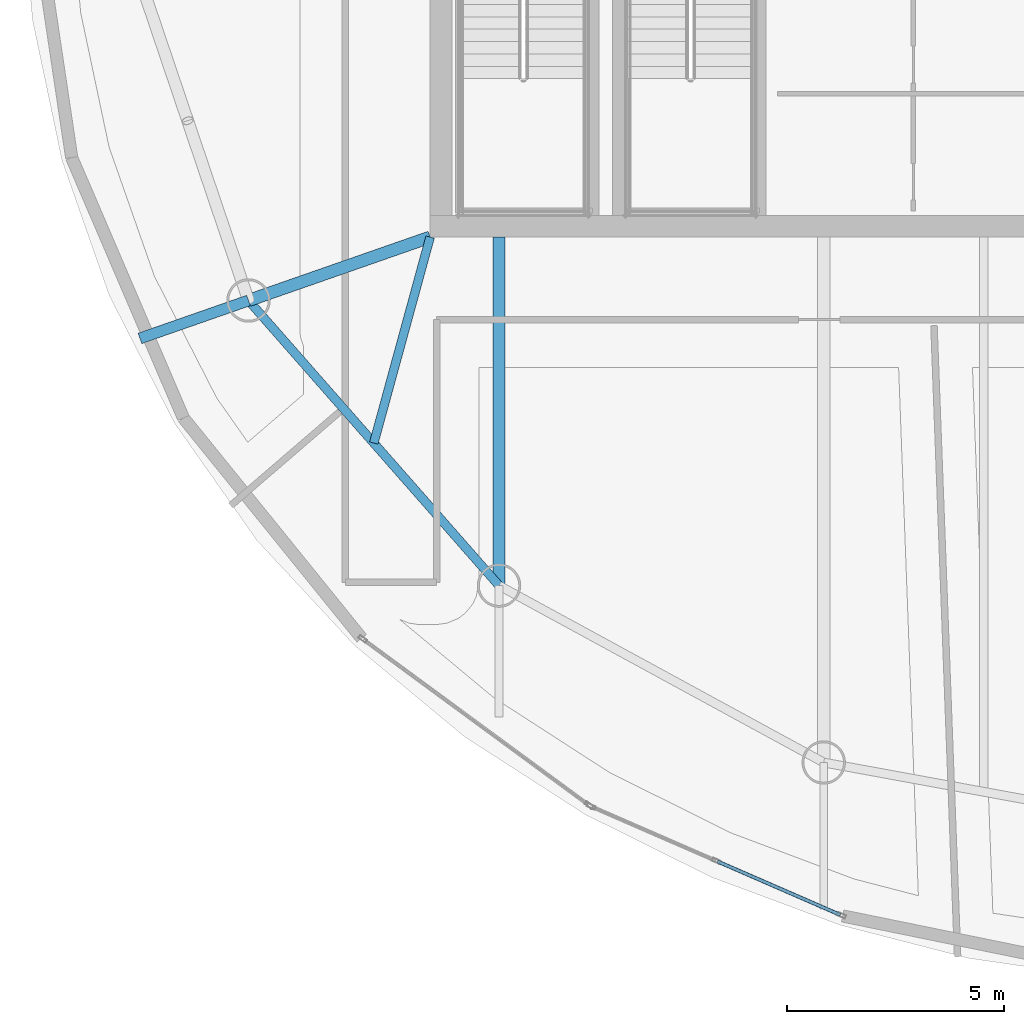
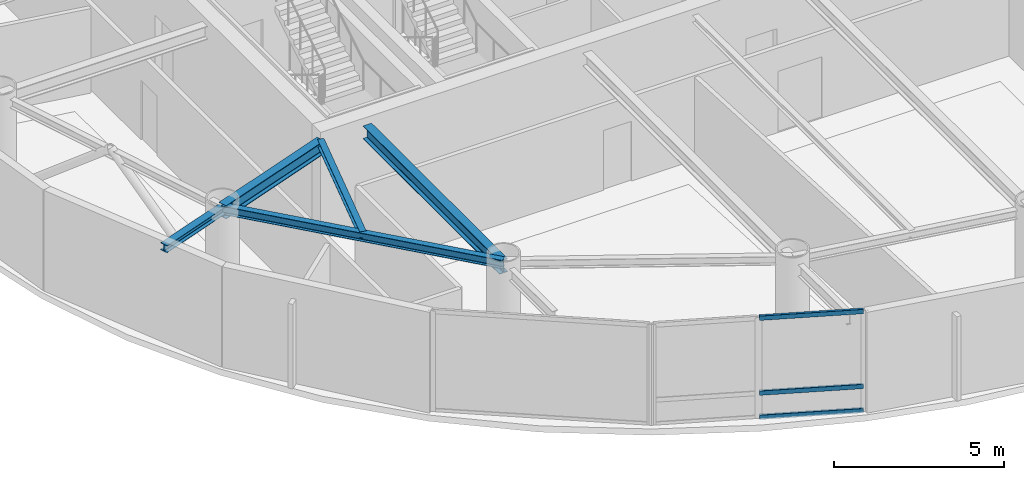
# One storey, part 3 of 20: 5 beams, 3 members, 1 element without a shape of its own.
"""IFC4 building model written with IfcOpenShell, lengths in metres."""

from ifc_helpers import new_model, si_unit, direction, frame, origin, origin_2d, place, context, subcontext, project, spatial, hollow_rectangle, i_section, extrude, material, layer, layer_set, material_profile, profile_set, type_object, element, aggregate, save


model = new_model("IFC4")

# Units and contexts
model_context = context("Model", 3, precision=1e-05, world=origin(), true_north=direction((0.0, 1.0)))
body_context = subcontext(model_context, "Body", "Model", "MODEL_VIEW")
ifc_project = project(units=[si_unit("LENGTHUNIT", "METRE"), si_unit("AREAUNIT", "SQUARE_METRE"), si_unit("VOLUMEUNIT", "CUBIC_METRE"), si_unit("PLANEANGLEUNIT", "RADIAN"), si_unit("MASSUNIT", "GRAM", prefix="KILO")], contexts=[model_context])

# Site, building, storey
site_placement = place(None, origin())
site = spatial("IfcSite", under=ifc_project, at=site_placement, CompositionType="ELEMENT")
building_placement = place(site_placement, origin())
building = spatial("IfcBuilding", under=site, at=building_placement, Name="Bramvorn Convention Spire", CompositionType="ELEMENT")
storey_placement = place(building_placement, frame((0.0, 0.0, 269.0)))
storey = spatial("IfcBuildingStorey", under=building, at=storey_placement, Name="L68", CompositionType="ELEMENT", Elevation=269.0)

# Beams
ifc_material_1 = material(Name="Steel CSA G40.21 Grade 350 (350W)", Category="steel")
ifc_material_profile_1 = material_profile(ifc_material_1, i_section(OverallWidth=0.201904296875, OverallDepth=0.2470703125, WebThickness=0.00732421875, FlangeThickness=0.010986328125, FilletRadius=0.011962890625, at=origin_2d()))
ifc_profile_set_1 = profile_set([ifc_material_profile_1], Name="Steel CSA G40.21 Grade 350 (350W) - W250X49")
beam_type_1 = type_object("IfcBeamType", Name="BM-W250X49", PredefinedType="JOIST", material=ifc_profile_set_1)
beam_1_placement = place(storey_placement, frame((26.75, 18.550048828125, 3.50146484375), z_axis=(-0.26386506219, -0.96455960363, 0.0), x_axis=(0.96455960363, -0.26386506219, 0.0)))
element("IfcBeam", 1, at=beam_1_placement, inside=storey, type_object=beam_type_1, Name="L68 composite floor joist 13", PredefinedType="JOIST", context=body_context, shape_type="SweptSolid", body=[
    extrude(i_section(OverallWidth=0.201904296875, OverallDepth=0.2470703125, WebThickness=0.00732421875, FlangeThickness=0.010986328125, FilletRadius=0.011962890625, at=origin_2d()), origin(), (0.0, 0.0, 1.0), 4.917724609375),
])
ifc_material_profile_2 = material_profile(ifc_material_1, i_section(OverallWidth=0.25390625, OverallDepth=0.2529296875, WebThickness=0.008544921875, FlangeThickness=0.01416015625, FilletRadius=0.011962890625, at=origin_2d()))
ifc_profile_set_2 = profile_set([ifc_material_profile_2], Name="Steel CSA G40.21 Grade 350 (350W) - W250X73")
beam_type_2 = type_object("IfcBeamType", Name="BM-W250X73", PredefinedType="BEAM", material=ifc_profile_set_2)
beam_2_placement = place(storey_placement, frame((22.5673828125, 17.090087890625, 3.45849609375), z_axis=(-0.944128169643, -0.329578517634, 0.0), x_axis=(0.329578517634, -0.944128169643, 0.0)))
element("IfcBeam", 2, at=beam_2_placement, inside=storey, type_object=beam_type_2, Name="L68 slab-edge cantilever tip beam MC13", PredefinedType="BEAM", context=body_context, shape_type="SweptSolid", body=[
    extrude(i_section(OverallWidth=0.25390625, OverallDepth=0.2529296875, WebThickness=0.008544921875, FlangeThickness=0.01416015625, FilletRadius=0.011962890625, at=origin_2d()), origin(), (0.0, 0.0, 1.0), 2.64892578125),
])
ifc_material_profile_3 = material_profile(ifc_material_1, i_section(OverallWidth=0.202880859375, OverallDepth=0.302978515625, WebThickness=0.007568359375, FlangeThickness=0.01318359375, FilletRadius=0.013916015625, at=origin_2d()))
ifc_profile_set_3 = profile_set([ifc_material_profile_3], Name="Steel CSA G40.21 Grade 350 (350W) - W310X60")
beam_type_3 = type_object("IfcBeamType", Name="BM-W310X60", PredefinedType="JOIST", material=ifc_profile_set_3)
beam_3_placement = place(storey_placement, frame((22.5673828125, 17.090087890625, 3.473388671875), z_axis=(0.660073062339, -0.751201405999, 0.0), x_axis=(0.751201405999, 0.660073062339, 0.0)))
element("IfcBeam", 3, at=beam_3_placement, inside=storey, type_object=beam_type_3, Name="L68 mega-column ring beam 13", PredefinedType="JOIST", context=body_context, shape_type="SweptSolid", body=[
    extrude(i_section(OverallWidth=0.202880859375, OverallDepth=0.302978515625, WebThickness=0.007568359375, FlangeThickness=0.01318359375, FilletRadius=0.013916015625, at=origin_2d()), origin(), (0.0, 0.0, 1.0), 8.741943359375),
])
ifc_material_profile_4 = material_profile(ifc_material_1, i_section(OverallWidth=0.283935546875, OverallDepth=0.47607421875, WebThickness=0.014892578125, FlangeThickness=0.02392578125, FilletRadius=0.01806640625, at=origin_2d()))
ifc_profile_set_4 = profile_set([ifc_material_profile_4], Name="Steel CSA G40.21 Grade 350 (350W) - W460X158")
beam_type_4 = type_object("IfcBeamType", Name="BM-W460X158", PredefinedType="SPANDREL", material=ifc_profile_set_4)
beam_4_placement = place(storey_placement, frame((26.75, 18.550048828125, 3.386962890625), z_axis=(-0.944136391877, -0.329554962843, 0.0), x_axis=(0.329554962843, -0.944136391877, 0.0)))
element("IfcBeam", 4, at=beam_4_placement, inside=storey, type_object=beam_type_4, Name="L68 radial floor girder MC13", PredefinedType="SPANDREL", context=body_context, shape_type="SweptSolid", body=[
    extrude(i_section(OverallWidth=0.283935546875, OverallDepth=0.47607421875, WebThickness=0.014892578125, FlangeThickness=0.02392578125, FilletRadius=0.01806640625, at=origin_2d()), origin(), (0.0, 0.0, 1.0), 4.43017578125),
])
beam_5_placement = place(storey_placement, frame((28.337646484375, 18.550048828125, 3.346923828125), z_axis=(0.0, -1.0, 0.0), x_axis=(1.0, 0.0, 0.0)))
element("IfcBeam", 5, at=beam_5_placement, inside=storey, type_object=beam_type_4, Name="L68 Sky-Garden back-span radial girder MC14", PredefinedType="SPANDREL", context=body_context, shape_type="SweptSolid", body=[
    extrude(i_section(OverallWidth=0.283935546875, OverallDepth=0.47607421875, WebThickness=0.014892578125, FlangeThickness=0.02392578125, FilletRadius=0.01806640625, at=origin_2d()), origin(), (0.0, 0.0, 1.0), 8.02685546875),
])

# Curtain wall, members
ifc_material_2 = material(Name="Anodised Bronze Unitised Curtain Wall", Category="aluminium")
ifc_layer = layer(ifc_material_2, 0.179931640625)
ifc_layer_set = layer_set([ifc_layer], Name="Anodised Bronze Unitised Curtain Wall - CW-OFF-FRIT")
curtain_wall_type = type_object("IfcCurtainWallType", Name="CW-OFF-FRIT", PredefinedType="USERDEFINED", material=ifc_layer_set)
curtain_wall_placement = place(storey_placement, origin())
curtain_wall = element("IfcCurtainWall", 6, at=curtain_wall_placement, inside=storey, type_object=curtain_wall_type, Name="L68 fritted glass curtain wall 21", ObjectType="UNITISED CURTAIN WALL", PredefinedType="USERDEFINED")
ifc_material_3 = material(Name="Anodised Bronze Aluminium 6063-T6", Category="aluminium")
ifc_material_profile_5 = material_profile(ifc_material_3, hollow_rectangle(XDim=0.080078125, YDim=0.159912109375, WallThickness=0.00390625, InnerFilletRadius=0.0009765625, OuterFilletRadius=0.00390625, at=origin_2d()))
ifc_profile_set_5 = profile_set([ifc_material_profile_5], Name="Anodised Bronze Aluminium 6063-T6 - CWT80X160")
member_type = type_object("IfcMemberType", Name="CW-TRN-150", PredefinedType="USERDEFINED", material=ifc_profile_set_5)
member_1_placement = place(storey_placement, frame((36.19677734375, 2.939453125, 0.030029296875), z_axis=(-0.916910069493, 0.399093879259, 0.0), x_axis=(-0.399093879259, -0.916910069493, 0.0)))
member_1 = element("IfcMember", 7, at=member_1_placement, type_object=member_type, Name="CW3 transom 1.1", ObjectType="TRANSOM", PredefinedType="USERDEFINED", context=body_context, shape_type="SweptSolid", body=[
    extrude(hollow_rectangle(XDim=0.080078125, YDim=0.159912109375, WallThickness=0.00390625, InnerFilletRadius=0.0009765625, OuterFilletRadius=0.00390625, at=origin_2d()), origin(), (0.0, 0.0, 1.0), 3.08251953125),
])
member_2_placement = place(storey_placement, frame((36.19677734375, 2.939453125, 0.89990234375), z_axis=(-0.916910069493, 0.399093879259, 0.0), x_axis=(-0.399093879259, -0.916910069493, 0.0)))
member_2 = element("IfcMember", 8, at=member_2_placement, type_object=member_type, Name="CW3 transom 1.2", ObjectType="TRANSOM", PredefinedType="USERDEFINED", context=body_context, shape_type="SweptSolid", body=[
    extrude(hollow_rectangle(XDim=0.080078125, YDim=0.159912109375, WallThickness=0.00390625, InnerFilletRadius=0.0009765625, OuterFilletRadius=0.00390625, at=origin_2d()), origin(), (0.0, 0.0, 1.0), 3.08251953125),
])
member_3_placement = place(storey_placement, frame((36.19677734375, 2.939453125, 3.594970703125), z_axis=(-0.916910069493, 0.399093879259, 0.0), x_axis=(-0.399093879259, -0.916910069493, 0.0)))
member_3 = element("IfcMember", 9, at=member_3_placement, type_object=member_type, Name="CW3 transom 1.3", ObjectType="TRANSOM", PredefinedType="USERDEFINED", context=body_context, shape_type="SweptSolid", body=[
    extrude(hollow_rectangle(XDim=0.080078125, YDim=0.159912109375, WallThickness=0.00390625, InnerFilletRadius=0.0009765625, OuterFilletRadius=0.00390625, at=origin_2d()), origin(), (0.0, 0.0, 1.0), 3.08251953125),
])
aggregate(curtain_wall, [member_1, member_2, member_3])

save(model, "model.ifc")
